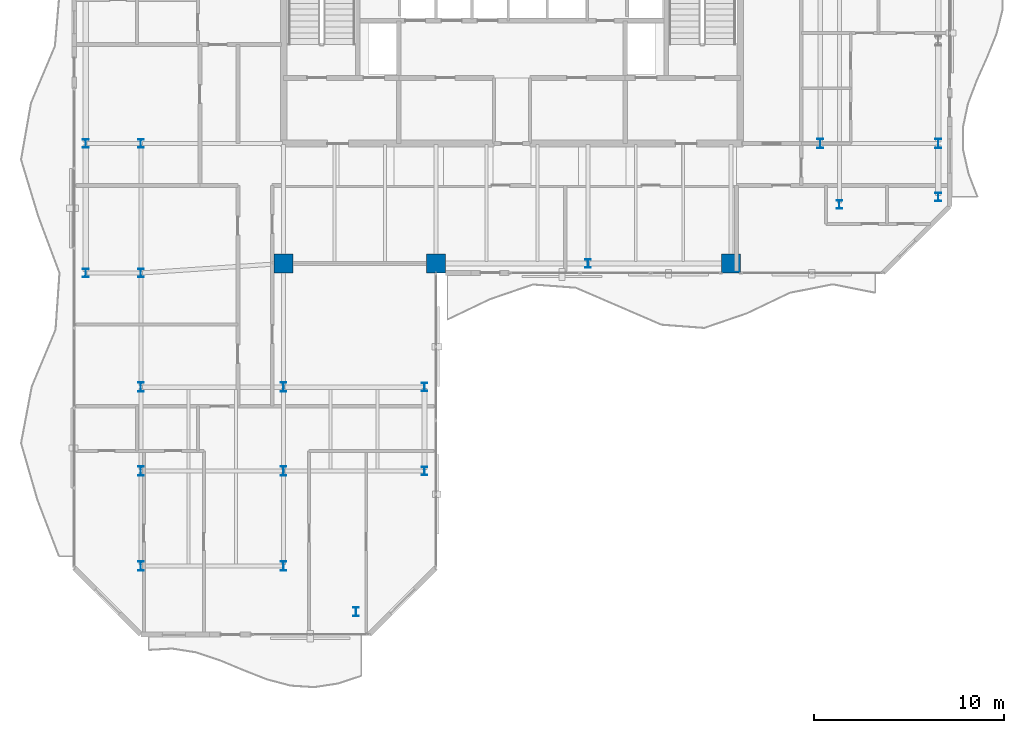
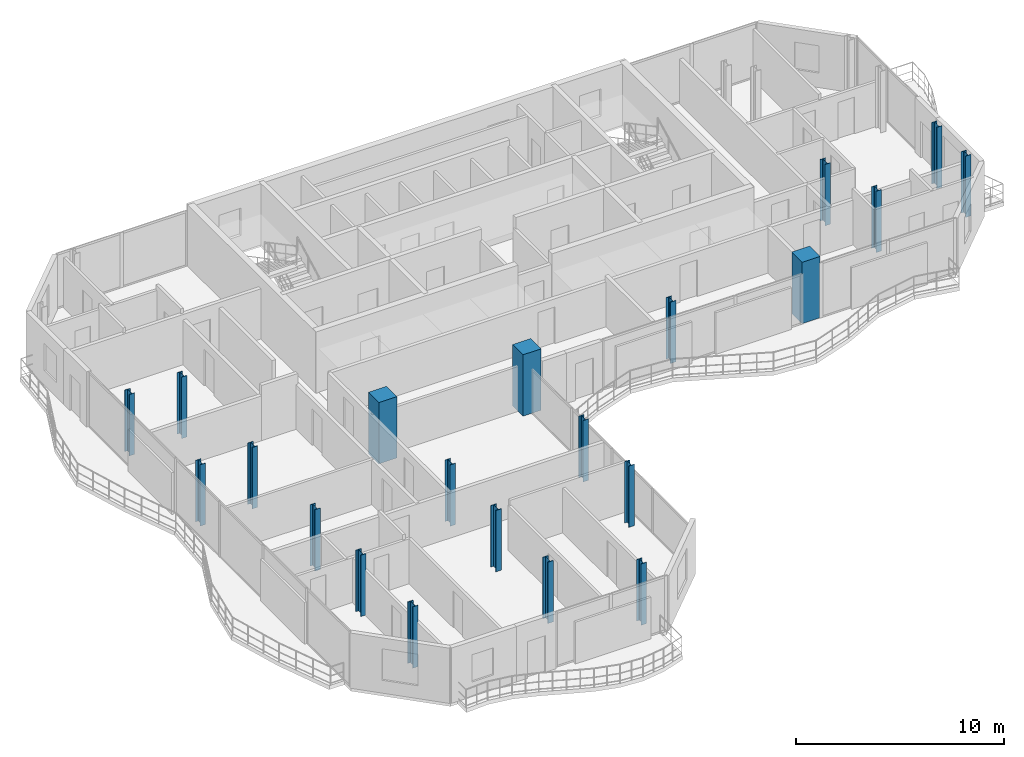
# One storey, part 1 of 23: 21 columns.
"""IFC4 building model written with IfcOpenShell, lengths in metres."""

from ifc_helpers import new_model, si_unit, direction, frame, origin, origin_2d, place, context, subcontext, project, spatial, rectangle, i_section, extrude, material, material_profile, profile_set, type_object, element, save


model = new_model("IFC4")

# Units and contexts
model_context = context("Model", 3, precision=1e-05, world=origin(), true_north=direction((0.0, 1.0)))
body_context = subcontext(model_context, "Body", "Model", "MODEL_VIEW")
ifc_project = project(units=[si_unit("LENGTHUNIT", "METRE"), si_unit("AREAUNIT", "SQUARE_METRE"), si_unit("VOLUMEUNIT", "CUBIC_METRE"), si_unit("PLANEANGLEUNIT", "RADIAN"), si_unit("MASSUNIT", "GRAM", prefix="KILO")], contexts=[model_context])

# Site, building, storey
site_placement = place(None, origin())
site = spatial("IfcSite", under=ifc_project, at=site_placement, CompositionType="ELEMENT")
building_placement = place(site_placement, origin())
building = spatial("IfcBuilding", under=site, at=building_placement, Name="Catumbela Crestline Tower", CompositionType="ELEMENT")
storey_placement = place(building_placement, frame((0.0, 0.0, 204.6)))
storey = spatial("IfcBuildingStorey", under=building, at=storey_placement, Name="L53", CompositionType="ELEMENT", Elevation=204.6)

# Columns
ifc_material_1 = material(Name="Concrete C50/60", Category="concrete")
ifc_material_profile_1 = material_profile(ifc_material_1, rectangle(XDim=1.0, YDim=1.0, at=origin_2d()), Name="RC 1000x1000")
ifc_profile_set_1 = profile_set([ifc_material_profile_1], Name="Concrete C50/60")
column_type_1 = type_object("IfcColumnType", Name="C-RC1000-C50", PredefinedType="COLUMN", material=ifc_profile_set_1)
for number, where, z_axis, x_axis, name in (
    (1, (16.0, 24.5, 0.0), (0.0, 0.0, 1.0), (1.0, 0.0, 0.0), "L53 Column C-16-24 (RC 1000x1000)"),
    (2, (24.0, 24.5, 0.0), (0.0, 0.0, 1.0), (1.0, 0.0, 0.0), "L53 Column C-24-24 (RC 1000x1000)"),
    (3, (39.5, 24.5, 0.0), (0.0, 0.0, 1.0), (1.0, 0.0, 0.0), "L53 Column C-40-24 (RC 1000x1000)"),
):
    element("IfcColumn", number, at=place(storey_placement, frame(where, z_axis=z_axis, x_axis=x_axis)), inside=storey, type_object=column_type_1, Name=name, PredefinedType="COLUMN", context=body_context, shape_type="SweptSolid", body=[
        extrude(rectangle(XDim=1.0, YDim=1.0, at=origin_2d()), origin(), (0.0, 0.0, 1.0), 3.6),
    ])
ifc_material_2 = material(Name="Structural steel S355J2", Category="steel")
ifc_material_profile_2 = material_profile(ifc_material_2, i_section(OverallWidth=0.3, OverallDepth=0.45, WebThickness=0.014, FlangeThickness=0.026, FilletRadius=0.027, at=origin_2d()), Name="HEB 450")
ifc_profile_set_2 = profile_set([ifc_material_profile_2], Name="Structural steel S355J2")
column_type_2 = type_object("IfcColumnType", Name="C-ST-HEB450", PredefinedType="COLUMN", material=ifc_profile_set_2)
for number, where, z_axis, x_axis, name in (
    (4, (8.5, 24.0, 0.0), (0.0, 0.0, 1.0), (1.0, 0.0, 0.0), "L53 Column C-08-24 (HEB 450)"),
    (5, (32.0, 24.5, 0.0), (0.0, 0.0, 1.0), (1.0, 0.0, 0.0), "L53 Column C-32-24 (HEB 450)"),
    (6, (5.6, 24.0, 0.0), (0.0, 0.0, 1.0), (1.0, 0.0, 0.0), "L53 Column C-05-24 (HEB 450)"),
    (7, (5.6, 30.8, 0.0), (0.0, 0.0, 1.0), (1.0, 0.0, 0.0), "L53 Column C-05-31 (HEB 450)"),
    (8, (8.5, 30.8, 0.0), (0.0, 0.0, 1.0), (1.0, 0.0, 0.0), "L53 Column C-08-31 (HEB 450)"),
    (9, (45.2, 27.6, 0.0), (0.0, 0.0, 1.0), (1.0, 0.0, 0.0), "L53 Column C-46-24 (HEB 450)"),
    (10, (50.4, 28.0, 0.0), (0.0, 0.0, 1.0), (1.0, 0.0, 0.0), "L53 Column C-51-24 (HEB 450)"),
    (11, (19.8, 6.2, 0.0), (0.0, 0.0, 1.0), (1.0, 0.0, 0.0), "L53 Column C-24-05 (HEB 450)"),
    (12, (23.4, 13.6, 0.0), (0.0, 0.0, 1.0), (1.0, 0.0, 0.0), "L53 Column C-24-10 (HEB 450)"),
    (13, (23.4, 18.0, 0.0), (0.0, 0.0, 1.0), (1.0, 0.0, 0.0), "L53 Column C-24-16 (HEB 450)"),
):
    element("IfcColumn", number, at=place(storey_placement, frame(where, z_axis=z_axis, x_axis=x_axis)), inside=storey, type_object=column_type_2, Name=name, PredefinedType="COLUMN", context=body_context, shape_type="SweptSolid", body=[
        extrude(i_section(OverallWidth=0.3, OverallDepth=0.45, WebThickness=0.014, FlangeThickness=0.026, FilletRadius=0.027, at=origin_2d()), origin(), (0.0, 0.0, 1.0), 3.6),
    ])
ifc_material_profile_3 = material_profile(ifc_material_2, i_section(OverallWidth=0.3, OverallDepth=0.5, WebThickness=0.0145, FlangeThickness=0.028, FilletRadius=0.027, at=origin_2d()), Name="HEB 500")
ifc_profile_set_3 = profile_set([ifc_material_profile_3], Name="Structural steel S355J2")
column_type_3 = type_object("IfcColumnType", Name="C-ST-HEB500", PredefinedType="COLUMN", material=ifc_profile_set_3)
for number, where, z_axis, x_axis, name in (
    (14, (8.5, 8.6, 0.0), (0.0, 0.0, 1.0), (1.0, 0.0, 0.0), "L53 Column CT-05-05 (HEB 500)"),
    (15, (16.0, 8.6, 0.0), (0.0, 0.0, 1.0), (1.0, 0.0, 0.0), "L53 Column CT-14-05 (HEB 500)"),
    (16, (8.5, 13.6, 0.0), (0.0, 0.0, 1.0), (1.0, 0.0, 0.0), "L53 Column CT-05-10 (HEB 500)"),
    (17, (16.0, 13.6, 0.0), (0.0, 0.0, 1.0), (1.0, 0.0, 0.0), "L53 Column CT-14-10 (HEB 500)"),
    (18, (8.5, 18.0, 0.0), (0.0, 0.0, 1.0), (1.0, 0.0, 0.0), "L53 Column CT-05-16 (HEB 500)"),
    (19, (16.0, 18.0, 0.0), (0.0, 0.0, 1.0), (1.0, 0.0, 0.0), "L53 Column CT-14-16 (HEB 500)"),
    (20, (44.2, 30.8, 0.0), (0.0, 0.0, 1.0), (1.0, 0.0, 0.0), "L53 Column CT-46-31 (HEB 500)"),
    (21, (50.4, 30.8, 0.0), (0.0, 0.0, 1.0), (1.0, 0.0, 0.0), "L53 Column CT-51-31 (HEB 500)"),
):
    element("IfcColumn", number, at=place(storey_placement, frame(where, z_axis=z_axis, x_axis=x_axis)), inside=storey, type_object=column_type_3, Name=name, PredefinedType="COLUMN", context=body_context, shape_type="SweptSolid", body=[
        extrude(i_section(OverallWidth=0.3, OverallDepth=0.5, WebThickness=0.0145, FlangeThickness=0.028, FilletRadius=0.027, at=origin_2d()), origin(), (0.0, 0.0, 1.0), 3.6),
    ])

save(model, "model.ifc")
